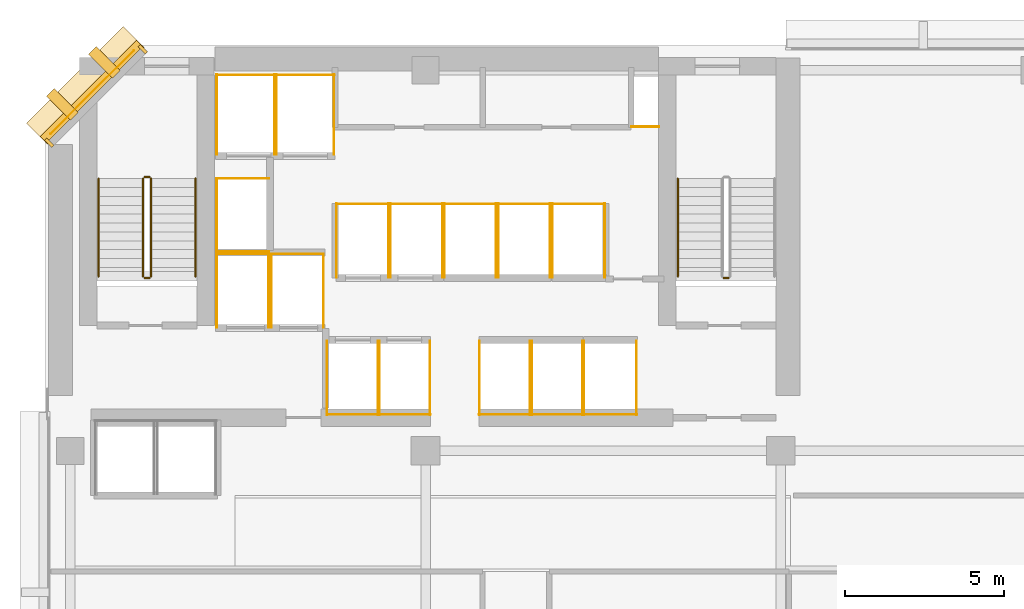
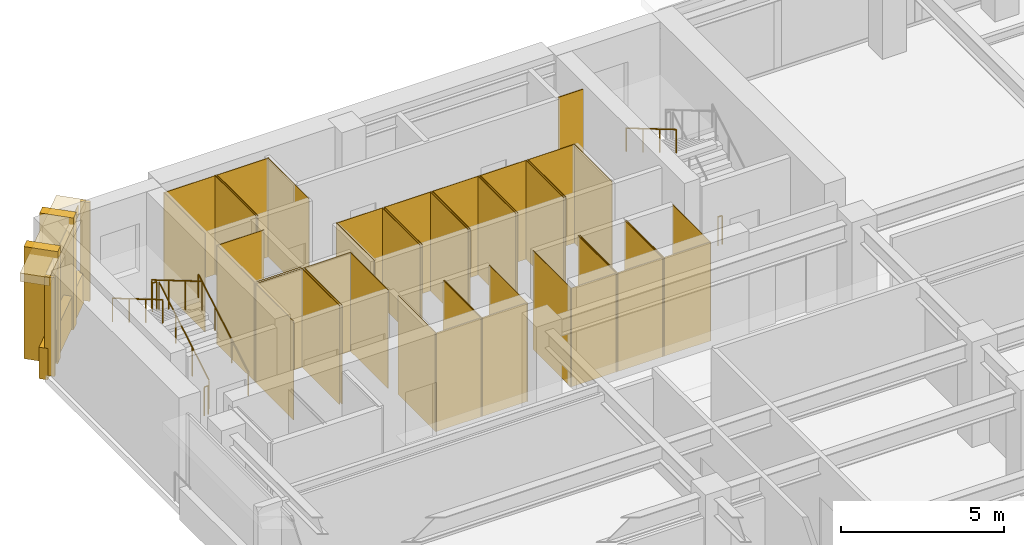
# One storey, part 10 of 12: 53 coverings, 8 railings.
"""IFC4 building model written with IfcOpenShell, lengths in metres."""

from ifc_helpers import new_model, si_unit, direction, frame, origin, origin_2d, place, context, subcontext, project, spatial, polyline, rectangle, circle, outline, extrude, material, layer, layer_set, type_object, element, save


model = new_model("IFC4")

# Units and contexts
model_context = context("Model", 3, precision=1e-05, world=origin(), true_north=direction((0.0, 1.0)))
body_context = subcontext(model_context, "Body", "Model", "MODEL_VIEW")
ifc_project = project(units=[si_unit("LENGTHUNIT", "METRE"), si_unit("AREAUNIT", "SQUARE_METRE"), si_unit("VOLUMEUNIT", "CUBIC_METRE"), si_unit("PLANEANGLEUNIT", "RADIAN"), si_unit("MASSUNIT", "GRAM", prefix="KILO")], contexts=[model_context])

# Site, building, storey
site_placement = place(None, origin())
site = spatial("IfcSite", under=ifc_project, at=site_placement, CompositionType="ELEMENT")
building_placement = place(site_placement, origin())
building = spatial("IfcBuilding", under=site, at=building_placement, Name="Kefirva Bronze Tower", CompositionType="ELEMENT")
storey_placement = place(building_placement, frame((0.0, 0.0, 114.510009765625)))
storey = spatial("IfcBuildingStorey", under=building, at=storey_placement, Name="L27", CompositionType="ELEMENT", Elevation=114.510009765625)

# Coverings
ifc_material_1 = material(Name="Bronze anodised aluminium", Category="aluminium")
ifc_layer_1 = layer(ifc_material_1, 0.02001953125, Name="Bronze anodised aluminium")
ifc_layer_set_1 = layer_set([ifc_layer_1], Name="Bronze anodised aluminium")
covering_type_1 = type_object("IfcCoveringType", Name="Anodised Bronze Spandrel Cladding 20mm", PredefinedType="CLADDING", material=ifc_layer_set_1)
covering_1_placement = place(storey_placement, frame((1.492919921875, 44.507080078125, 3.2900390625), z_axis=(0.0, 0.0, 1.0), x_axis=(-0.707106781187, -0.707106781187, 0.0)))
element("IfcCovering", 1, at=covering_1_placement, inside=storey, type_object=covering_type_1, Name="L27 Bronze Spandrel Cladding 5", PredefinedType="CLADDING", context=body_context, shape_type="SweptSolid", body=[
    extrude(rectangle(XDim=3.719482421875, YDim=0.02001953125, at=origin_2d()), origin(), (0.0, 0.0, 1.0), 0.39990234375),
])
for number, where, z_axis, x_axis, name in (
    (2, (3.08837890625, 45.862060546875, 0.0), (0.0, 0.0, 1.0), (-0.707106781187, -0.707106781187, 0.0), "L27 Facade Joint Closure Panel 5S"),
    (3, (0.137939453125, 42.91162109375, 0.0), (0.0, 0.0, 1.0), (-0.707106781187, -0.707106781187, 0.0), "L27 Facade Joint Closure Panel 5E"),
):
    element("IfcCovering", number, at=place(storey_placement, frame(where, z_axis=z_axis, x_axis=x_axis)), inside=storey, type_object=covering_type_1, Name=name, PredefinedType="CLADDING", context=body_context, shape_type="SweptSolid", body=[
        extrude(rectangle(XDim=0.10009765625, YDim=0.320068359375, at=origin_2d()), origin(), (0.0, 0.0, 1.0), 3.7099609375),
    ])
covering_2_placement = place(storey_placement, frame((1.4716796875, 44.5283203125, -0.16015625), z_axis=(0.0, 0.0, 1.0), x_axis=(-0.707106781187, -0.707106781187, 0.0)))
element("IfcCovering", 4, at=covering_2_placement, inside=storey, type_object=covering_type_1, Name="L27 Streamline Horizontal Spandrel Band 9", PredefinedType="CLADDING", context=body_context, shape_type="SweptSolid", body=[
    extrude(rectangle(XDim=4.28271484375, YDim=0.280029296875, at=origin_2d()), origin(), (0.0, 0.0, 1.0), 1.179931640625),
])
covering_3_placement = place(storey_placement, origin())
element("IfcCovering", 5, at=covering_3_placement, inside=storey, type_object=covering_type_1, Name="L27 Lift FF1 Hoistway Liner N", PredefinedType="CLADDING", context=body_context, shape_type="SweptSolid", body=[
    extrude(outline(polyline([(5.39990234375, 39.389892578125), (7.080078125, 39.389892578125), (7.080078125, 39.409912109375), (5.39990234375, 39.409912109375), (5.39990234375, 39.389892578125)])), origin(), (0.0, 0.0, 1.0), 3.7099609375),
])
covering_4_placement = place(storey_placement, origin())
element("IfcCovering", 6, at=covering_4_placement, inside=storey, type_object=covering_type_1, Name="L27 Lift FF1 Hoistway Liner W", PredefinedType="CLADDING", context=body_context, shape_type="SweptSolid", body=[
    extrude(outline(polyline([(5.409912109375, 37.080078125), (5.429931640625, 37.080078125), (5.429931640625, 39.419921875), (5.409912109375, 39.419921875), (5.409912109375, 37.080078125)])), origin(), (0.0, 0.0, 1.0), 3.7099609375),
])
covering_5_placement = place(storey_placement, origin())
element("IfcCovering", 7, at=covering_5_placement, inside=storey, type_object=covering_type_1, Name="L27 Lift FF1 Hoistway Liner E", PredefinedType="CLADDING", context=body_context, shape_type="SweptSolid", body=[
    extrude(outline(polyline([(7.050048828125, 37.080078125), (7.070068359375, 37.080078125), (7.070068359375, 39.419921875), (7.050048828125, 39.419921875), (7.050048828125, 37.080078125)])), origin(), (0.0, 0.0, 1.0), 3.7099609375),
])
covering_6_placement = place(storey_placement, origin())
element("IfcCovering", 8, at=covering_6_placement, inside=storey, type_object=covering_type_1, Name="L27 Lift FF2 Hoistway Liner N", PredefinedType="CLADDING", context=body_context, shape_type="SweptSolid", body=[
    extrude(outline(polyline([(7.1201171875, 39.389892578125), (8.800048828125, 39.389892578125), (8.800048828125, 39.409912109375), (7.1201171875, 39.409912109375), (7.1201171875, 39.389892578125)])), origin(), (0.0, 0.0, 1.0), 3.7099609375),
])
covering_7_placement = place(storey_placement, origin())
element("IfcCovering", 9, at=covering_7_placement, inside=storey, type_object=covering_type_1, Name="L27 Lift FF2 Hoistway Liner W", PredefinedType="CLADDING", context=body_context, shape_type="SweptSolid", body=[
    extrude(outline(polyline([(7.1298828125, 37.080078125), (7.14990234375, 37.080078125), (7.14990234375, 39.419921875), (7.1298828125, 39.419921875), (7.1298828125, 37.080078125)])), origin(), (0.0, 0.0, 1.0), 3.7099609375),
])
covering_8_placement = place(storey_placement, origin())
element("IfcCovering", 10, at=covering_8_placement, inside=storey, type_object=covering_type_1, Name="L27 Lift FF2 Hoistway Liner E", PredefinedType="CLADDING", context=body_context, shape_type="SweptSolid", body=[
    extrude(outline(polyline([(8.77001953125, 37.080078125), (8.7900390625, 37.080078125), (8.7900390625, 39.419921875), (8.77001953125, 39.419921875), (8.77001953125, 37.080078125)])), origin(), (0.0, 0.0, 1.0), 3.7099609375),
])
covering_9_placement = place(storey_placement, origin())
element("IfcCovering", 11, at=covering_9_placement, inside=storey, type_object=covering_type_1, Name="L27 Lift SV1 Hoistway Liner N", PredefinedType="CLADDING", context=body_context, shape_type="SweptSolid", body=[
    extrude(outline(polyline([(5.39990234375, 45.0400390625), (7.260009765625, 45.0400390625), (7.260009765625, 45.06005859375), (5.39990234375, 45.06005859375), (5.39990234375, 45.0400390625)])), origin(), (0.0, 0.0, 1.0), 3.7099609375),
])
covering_10_placement = place(storey_placement, origin())
element("IfcCovering", 12, at=covering_10_placement, inside=storey, type_object=covering_type_1, Name="L27 Lift SV1 Hoistway Liner W", PredefinedType="CLADDING", context=body_context, shape_type="SweptSolid", body=[
    extrude(outline(polyline([(5.409912109375, 42.530029296875), (5.429931640625, 42.530029296875), (5.429931640625, 45.070068359375), (5.409912109375, 45.070068359375), (5.409912109375, 42.530029296875)])), origin(), (0.0, 0.0, 1.0), 3.7099609375),
])
covering_11_placement = place(storey_placement, origin())
element("IfcCovering", 13, at=covering_11_placement, inside=storey, type_object=covering_type_1, Name="L27 Lift SV1 Hoistway Liner E", PredefinedType="CLADDING", context=body_context, shape_type="SweptSolid", body=[
    extrude(outline(polyline([(7.22998046875, 42.530029296875), (7.25, 42.530029296875), (7.25, 45.070068359375), (7.22998046875, 45.070068359375), (7.22998046875, 42.530029296875)])), origin(), (0.0, 0.0, 1.0), 3.7099609375),
])
covering_12_placement = place(storey_placement, origin())
element("IfcCovering", 14, at=covering_12_placement, inside=storey, type_object=covering_type_1, Name="L27 Lift SV2 Hoistway Liner N", PredefinedType="CLADDING", context=body_context, shape_type="SweptSolid", body=[
    extrude(outline(polyline([(7.280029296875, 45.0400390625), (9.139892578125, 45.0400390625), (9.139892578125, 45.06005859375), (7.280029296875, 45.06005859375), (7.280029296875, 45.0400390625)])), origin(), (0.0, 0.0, 1.0), 3.7099609375),
])
covering_13_placement = place(storey_placement, origin())
element("IfcCovering", 15, at=covering_13_placement, inside=storey, type_object=covering_type_1, Name="L27 Lift SV2 Hoistway Liner W", PredefinedType="CLADDING", context=body_context, shape_type="SweptSolid", body=[
    extrude(outline(polyline([(7.2900390625, 42.530029296875), (7.31005859375, 42.530029296875), (7.31005859375, 45.070068359375), (7.2900390625, 45.070068359375), (7.2900390625, 42.530029296875)])), origin(), (0.0, 0.0, 1.0), 3.7099609375),
])
covering_14_placement = place(storey_placement, origin())
element("IfcCovering", 16, at=covering_14_placement, inside=storey, type_object=covering_type_1, Name="L27 Lift SV2 Hoistway Liner E", PredefinedType="CLADDING", context=body_context, shape_type="SweptSolid", body=[
    extrude(outline(polyline([(9.110107421875, 42.530029296875), (9.1298828125, 42.530029296875), (9.1298828125, 45.070068359375), (9.110107421875, 45.070068359375), (9.110107421875, 42.530029296875)])), origin(), (0.0, 0.0, 1.0), 3.7099609375),
])
covering_15_placement = place(storey_placement, origin())
element("IfcCovering", 17, at=covering_15_placement, inside=storey, type_object=covering_type_1, Name="L27 Lift LP1 Hoistway Liner S", PredefinedType="CLADDING", context=body_context, shape_type="SweptSolid", body=[
    extrude(outline(polyline([(8.8798828125, 34.340087890625), (10.52001953125, 34.340087890625), (10.52001953125, 34.360107421875), (8.8798828125, 34.360107421875), (8.8798828125, 34.340087890625)])), origin(), (0.0, 0.0, 1.0), 3.7099609375),
])
covering_16_placement = place(storey_placement, origin())
element("IfcCovering", 18, at=covering_16_placement, inside=storey, type_object=covering_type_1, Name="L27 Lift LP1 Hoistway Liner W", PredefinedType="CLADDING", context=body_context, shape_type="SweptSolid", body=[
    extrude(outline(polyline([(8.889892578125, 34.330078125), (8.909912109375, 34.330078125), (8.909912109375, 36.669921875), (8.889892578125, 36.669921875), (8.889892578125, 34.330078125)])), origin(), (0.0, 0.0, 1.0), 3.7099609375),
])
covering_17_placement = place(storey_placement, origin())
element("IfcCovering", 19, at=covering_17_placement, inside=storey, type_object=covering_type_1, Name="L27 Lift LP1 Hoistway Liner E", PredefinedType="CLADDING", context=body_context, shape_type="SweptSolid", body=[
    extrude(outline(polyline([(10.489990234375, 34.330078125), (10.510009765625, 34.330078125), (10.510009765625, 36.669921875), (10.489990234375, 36.669921875), (10.489990234375, 34.330078125)])), origin(), (0.0, 0.0, 1.0), 3.7099609375),
])
covering_18_placement = place(storey_placement, origin())
element("IfcCovering", 20, at=covering_18_placement, inside=storey, type_object=covering_type_1, Name="L27 Lift LP2 Hoistway Liner S", PredefinedType="CLADDING", context=body_context, shape_type="SweptSolid", body=[
    extrude(outline(polyline([(10.52001953125, 34.340087890625), (12.159912109375, 34.340087890625), (12.159912109375, 34.360107421875), (10.52001953125, 34.360107421875), (10.52001953125, 34.340087890625)])), origin(), (0.0, 0.0, 1.0), 3.7099609375),
])
covering_19_placement = place(storey_placement, origin())
element("IfcCovering", 21, at=covering_19_placement, inside=storey, type_object=covering_type_1, Name="L27 Lift LP2 Hoistway Liner W", PredefinedType="CLADDING", context=body_context, shape_type="SweptSolid", body=[
    extrude(outline(polyline([(10.530029296875, 34.330078125), (10.550048828125, 34.330078125), (10.550048828125, 36.669921875), (10.530029296875, 36.669921875), (10.530029296875, 34.330078125)])), origin(), (0.0, 0.0, 1.0), 3.7099609375),
])
covering_20_placement = place(storey_placement, origin())
element("IfcCovering", 22, at=covering_20_placement, inside=storey, type_object=covering_type_1, Name="L27 Lift LP2 Hoistway Liner E", PredefinedType="CLADDING", context=body_context, shape_type="SweptSolid", body=[
    extrude(outline(polyline([(12.1298828125, 34.330078125), (12.14990234375, 34.330078125), (12.14990234375, 36.669921875), (12.1298828125, 36.669921875), (12.1298828125, 34.330078125)])), origin(), (0.0, 0.0, 1.0), 3.7099609375),
])
covering_21_placement = place(storey_placement, origin())
element("IfcCovering", 23, at=covering_21_placement, inside=storey, type_object=covering_type_1, Name="L27 Lift LP3 Hoistway Liner N", PredefinedType="CLADDING", context=body_context, shape_type="SweptSolid", body=[
    extrude(outline(polyline([(9.179931640625, 40.969970703125), (10.85009765625, 40.969970703125), (10.85009765625, 40.989990234375), (9.179931640625, 40.989990234375), (9.179931640625, 40.969970703125)])), origin(), (0.0, 0.0, 1.0), 3.7099609375),
])
covering_22_placement = place(storey_placement, origin())
element("IfcCovering", 24, at=covering_22_placement, inside=storey, type_object=covering_type_1, Name="L27 Lift LP3 Hoistway Liner W", PredefinedType="CLADDING", context=body_context, shape_type="SweptSolid", body=[
    extrude(outline(polyline([(9.18994140625, 38.659912109375), (9.2099609375, 38.659912109375), (9.2099609375, 41.0), (9.18994140625, 41.0), (9.18994140625, 38.659912109375)])), origin(), (0.0, 0.0, 1.0), 3.7099609375),
])
covering_23_placement = place(storey_placement, origin())
element("IfcCovering", 25, at=covering_23_placement, inside=storey, type_object=covering_type_1, Name="L27 Lift LP3 Hoistway Liner E", PredefinedType="CLADDING", context=body_context, shape_type="SweptSolid", body=[
    extrude(outline(polyline([(10.820068359375, 38.659912109375), (10.840087890625, 38.659912109375), (10.840087890625, 41.0), (10.820068359375, 41.0), (10.820068359375, 38.659912109375)])), origin(), (0.0, 0.0, 1.0), 3.7099609375),
])
covering_24_placement = place(storey_placement, origin())
element("IfcCovering", 26, at=covering_24_placement, inside=storey, type_object=covering_type_1, Name="L27 Lift LP4 Hoistway Liner N", PredefinedType="CLADDING", context=body_context, shape_type="SweptSolid", body=[
    extrude(outline(polyline([(10.8798828125, 40.969970703125), (12.550048828125, 40.969970703125), (12.550048828125, 40.989990234375), (10.8798828125, 40.989990234375), (10.8798828125, 40.969970703125)])), origin(), (0.0, 0.0, 1.0), 3.7099609375),
])
covering_25_placement = place(storey_placement, origin())
element("IfcCovering", 27, at=covering_25_placement, inside=storey, type_object=covering_type_1, Name="L27 Lift LP4 Hoistway Liner W", PredefinedType="CLADDING", context=body_context, shape_type="SweptSolid", body=[
    extrude(outline(polyline([(10.889892578125, 38.659912109375), (10.909912109375, 38.659912109375), (10.909912109375, 41.0), (10.889892578125, 41.0), (10.889892578125, 38.659912109375)])), origin(), (0.0, 0.0, 1.0), 3.7099609375),
])
covering_26_placement = place(storey_placement, origin())
element("IfcCovering", 28, at=covering_26_placement, inside=storey, type_object=covering_type_1, Name="L27 Lift LP4 Hoistway Liner E", PredefinedType="CLADDING", context=body_context, shape_type="SweptSolid", body=[
    extrude(outline(polyline([(12.52001953125, 38.659912109375), (12.5400390625, 38.659912109375), (12.5400390625, 41.0), (12.52001953125, 41.0), (12.52001953125, 38.659912109375)])), origin(), (0.0, 0.0, 1.0), 3.7099609375),
])
covering_27_placement = place(storey_placement, origin())
element("IfcCovering", 29, at=covering_27_placement, inside=storey, type_object=covering_type_1, Name="L27 Lift MP1 Hoistway Liner S", PredefinedType="CLADDING", context=body_context, shape_type="SweptSolid", body=[
    extrude(outline(polyline([(13.679931640625, 34.340087890625), (15.320068359375, 34.340087890625), (15.320068359375, 34.360107421875), (13.679931640625, 34.360107421875), (13.679931640625, 34.340087890625)])), origin(), (0.0, 0.0, 1.0), 3.7099609375),
])
covering_28_placement = place(storey_placement, origin())
element("IfcCovering", 30, at=covering_28_placement, inside=storey, type_object=covering_type_1, Name="L27 Lift MP1 Hoistway Liner W", PredefinedType="CLADDING", context=body_context, shape_type="SweptSolid", body=[
    extrude(outline(polyline([(13.68994140625, 34.330078125), (13.7099609375, 34.330078125), (13.7099609375, 36.669921875), (13.68994140625, 36.669921875), (13.68994140625, 34.330078125)])), origin(), (0.0, 0.0, 1.0), 3.7099609375),
])
covering_29_placement = place(storey_placement, origin())
element("IfcCovering", 31, at=covering_29_placement, inside=storey, type_object=covering_type_1, Name="L27 Lift MP1 Hoistway Liner E", PredefinedType="CLADDING", context=body_context, shape_type="SweptSolid", body=[
    extrude(outline(polyline([(15.2900390625, 34.330078125), (15.31005859375, 34.330078125), (15.31005859375, 36.669921875), (15.2900390625, 36.669921875), (15.2900390625, 34.330078125)])), origin(), (0.0, 0.0, 1.0), 3.7099609375),
])
covering_30_placement = place(storey_placement, origin())
element("IfcCovering", 32, at=covering_30_placement, inside=storey, type_object=covering_type_1, Name="L27 Lift MP2 Hoistway Liner S", PredefinedType="CLADDING", context=body_context, shape_type="SweptSolid", body=[
    extrude(outline(polyline([(15.330078125, 34.340087890625), (16.969970703125, 34.340087890625), (16.969970703125, 34.360107421875), (15.330078125, 34.360107421875), (15.330078125, 34.340087890625)])), origin(), (0.0, 0.0, 1.0), 3.7099609375),
])
covering_31_placement = place(storey_placement, origin())
element("IfcCovering", 33, at=covering_31_placement, inside=storey, type_object=covering_type_1, Name="L27 Lift MP2 Hoistway Liner W", PredefinedType="CLADDING", context=body_context, shape_type="SweptSolid", body=[
    extrude(outline(polyline([(15.340087890625, 34.330078125), (15.360107421875, 34.330078125), (15.360107421875, 36.669921875), (15.340087890625, 36.669921875), (15.340087890625, 34.330078125)])), origin(), (0.0, 0.0, 1.0), 3.7099609375),
])
covering_32_placement = place(storey_placement, origin())
element("IfcCovering", 34, at=covering_32_placement, inside=storey, type_object=covering_type_1, Name="L27 Lift MP2 Hoistway Liner E", PredefinedType="CLADDING", context=body_context, shape_type="SweptSolid", body=[
    extrude(outline(polyline([(16.93994140625, 34.330078125), (16.9599609375, 34.330078125), (16.9599609375, 36.669921875), (16.93994140625, 36.669921875), (16.93994140625, 34.330078125)])), origin(), (0.0, 0.0, 1.0), 3.7099609375),
])
covering_33_placement = place(storey_placement, origin())
element("IfcCovering", 35, at=covering_33_placement, inside=storey, type_object=covering_type_1, Name="L27 Lift MP3 Hoistway Liner N", PredefinedType="CLADDING", context=body_context, shape_type="SweptSolid", body=[
    extrude(outline(polyline([(12.580078125, 40.969970703125), (14.25, 40.969970703125), (14.25, 40.989990234375), (12.580078125, 40.989990234375), (12.580078125, 40.969970703125)])), origin(), (0.0, 0.0, 1.0), 3.7099609375),
])
covering_34_placement = place(storey_placement, origin())
element("IfcCovering", 36, at=covering_34_placement, inside=storey, type_object=covering_type_1, Name="L27 Lift MP3 Hoistway Liner W", PredefinedType="CLADDING", context=body_context, shape_type="SweptSolid", body=[
    extrude(outline(polyline([(12.590087890625, 38.659912109375), (12.610107421875, 38.659912109375), (12.610107421875, 41.0), (12.590087890625, 41.0), (12.590087890625, 38.659912109375)])), origin(), (0.0, 0.0, 1.0), 3.7099609375),
])
covering_35_placement = place(storey_placement, origin())
element("IfcCovering", 37, at=covering_35_placement, inside=storey, type_object=covering_type_1, Name="L27 Lift MP3 Hoistway Liner E", PredefinedType="CLADDING", context=body_context, shape_type="SweptSolid", body=[
    extrude(outline(polyline([(14.219970703125, 38.659912109375), (14.239990234375, 38.659912109375), (14.239990234375, 41.0), (14.219970703125, 41.0), (14.219970703125, 38.659912109375)])), origin(), (0.0, 0.0, 1.0), 3.7099609375),
])
covering_36_placement = place(storey_placement, origin())
element("IfcCovering", 38, at=covering_36_placement, inside=storey, type_object=covering_type_1, Name="L27 Lift MP4 Hoistway Liner N", PredefinedType="CLADDING", context=body_context, shape_type="SweptSolid", body=[
    extrude(outline(polyline([(14.280029296875, 40.969970703125), (15.949951171875, 40.969970703125), (15.949951171875, 40.989990234375), (14.280029296875, 40.989990234375), (14.280029296875, 40.969970703125)])), origin(), (0.0, 0.0, 1.0), 3.7099609375),
])
covering_37_placement = place(storey_placement, origin())
element("IfcCovering", 39, at=covering_37_placement, inside=storey, type_object=covering_type_1, Name="L27 Lift MP4 Hoistway Liner W", PredefinedType="CLADDING", context=body_context, shape_type="SweptSolid", body=[
    extrude(outline(polyline([(14.2900390625, 38.659912109375), (14.31005859375, 38.659912109375), (14.31005859375, 41.0), (14.2900390625, 41.0), (14.2900390625, 38.659912109375)])), origin(), (0.0, 0.0, 1.0), 3.7099609375),
])
covering_38_placement = place(storey_placement, origin())
element("IfcCovering", 40, at=covering_38_placement, inside=storey, type_object=covering_type_1, Name="L27 Lift MP4 Hoistway Liner E", PredefinedType="CLADDING", context=body_context, shape_type="SweptSolid", body=[
    extrude(outline(polyline([(15.919921875, 38.659912109375), (15.93994140625, 38.659912109375), (15.93994140625, 41.0), (15.919921875, 41.0), (15.919921875, 38.659912109375)])), origin(), (0.0, 0.0, 1.0), 3.7099609375),
])
covering_39_placement = place(storey_placement, origin())
element("IfcCovering", 41, at=covering_39_placement, inside=storey, type_object=covering_type_1, Name="L27 Lift HP1 Hoistway Liner S", PredefinedType="CLADDING", context=body_context, shape_type="SweptSolid", body=[
    extrude(outline(polyline([(16.97998046875, 34.340087890625), (18.669921875, 34.340087890625), (18.669921875, 34.360107421875), (16.97998046875, 34.360107421875), (16.97998046875, 34.340087890625)])), origin(), (0.0, 0.0, 1.0), 3.7099609375),
])
covering_40_placement = place(storey_placement, origin())
element("IfcCovering", 42, at=covering_40_placement, inside=storey, type_object=covering_type_1, Name="L27 Lift HP1 Hoistway Liner W", PredefinedType="CLADDING", context=body_context, shape_type="SweptSolid", body=[
    extrude(outline(polyline([(16.989990234375, 34.330078125), (17.010009765625, 34.330078125), (17.010009765625, 36.669921875), (16.989990234375, 36.669921875), (16.989990234375, 34.330078125)])), origin(), (0.0, 0.0, 1.0), 3.7099609375),
])
covering_41_placement = place(storey_placement, origin())
element("IfcCovering", 43, at=covering_41_placement, inside=storey, type_object=covering_type_1, Name="L27 Lift HP1 Hoistway Liner E", PredefinedType="CLADDING", context=body_context, shape_type="SweptSolid", body=[
    extrude(outline(polyline([(18.639892578125, 34.330078125), (18.659912109375, 34.330078125), (18.659912109375, 36.669921875), (18.639892578125, 36.669921875), (18.639892578125, 34.330078125)])), origin(), (0.0, 0.0, 1.0), 3.7099609375),
])
covering_42_placement = place(storey_placement, origin())
element("IfcCovering", 44, at=covering_42_placement, inside=storey, type_object=covering_type_1, Name="L27 Lift HP2 Hoistway Liner N", PredefinedType="CLADDING", context=body_context, shape_type="SweptSolid", body=[
    extrude(outline(polyline([(15.97998046875, 40.969970703125), (17.669921875, 40.969970703125), (17.669921875, 40.989990234375), (15.97998046875, 40.989990234375), (15.97998046875, 40.969970703125)])), origin(), (0.0, 0.0, 1.0), 3.7099609375),
])
covering_43_placement = place(storey_placement, origin())
element("IfcCovering", 45, at=covering_43_placement, inside=storey, type_object=covering_type_1, Name="L27 Lift HP2 Hoistway Liner W", PredefinedType="CLADDING", context=body_context, shape_type="SweptSolid", body=[
    extrude(outline(polyline([(15.989990234375, 38.659912109375), (16.010009765625, 38.659912109375), (16.010009765625, 41.0), (15.989990234375, 41.0), (15.989990234375, 38.659912109375)])), origin(), (0.0, 0.0, 1.0), 3.7099609375),
])
covering_44_placement = place(storey_placement, origin())
element("IfcCovering", 46, at=covering_44_placement, inside=storey, type_object=covering_type_1, Name="L27 Lift HP2 Hoistway Liner E", PredefinedType="CLADDING", context=body_context, shape_type="SweptSolid", body=[
    extrude(outline(polyline([(17.639892578125, 38.659912109375), (17.659912109375, 38.659912109375), (17.659912109375, 41.0), (17.639892578125, 41.0), (17.639892578125, 38.659912109375)])), origin(), (0.0, 0.0, 1.0), 3.7099609375),
])
covering_45_placement = place(storey_placement, origin())
element("IfcCovering", 47, at=covering_45_placement, inside=storey, type_object=covering_type_1, Name="L27 Lift HP3 Hoistway Liner N", PredefinedType="CLADDING", context=body_context, shape_type="SweptSolid", body=[
    extrude(outline(polyline([(5.39990234375, 41.77001953125), (7.080078125, 41.77001953125), (7.080078125, 41.7900390625), (5.39990234375, 41.7900390625), (5.39990234375, 41.77001953125)])), origin(), (0.0, 0.0, 1.0), 3.7099609375),
])
covering_46_placement = place(storey_placement, origin())
element("IfcCovering", 48, at=covering_46_placement, inside=storey, type_object=covering_type_1, Name="L27 Lift HP3 Hoistway Liner S", PredefinedType="CLADDING", context=body_context, shape_type="SweptSolid", body=[
    extrude(outline(polyline([(5.39990234375, 39.469970703125), (7.080078125, 39.469970703125), (7.080078125, 39.489990234375), (5.39990234375, 39.489990234375), (5.39990234375, 39.469970703125)])), origin(), (0.0, 0.0, 1.0), 3.7099609375),
])
covering_47_placement = place(storey_placement, origin())
element("IfcCovering", 49, at=covering_47_placement, inside=storey, type_object=covering_type_1, Name="L27 Lift HP3 Hoistway Liner W", PredefinedType="CLADDING", context=body_context, shape_type="SweptSolid", body=[
    extrude(outline(polyline([(5.409912109375, 39.4599609375), (5.429931640625, 39.4599609375), (5.429931640625, 41.800048828125), (5.409912109375, 41.800048828125), (5.409912109375, 39.4599609375)])), origin(), (0.0, 0.0, 1.0), 3.7099609375),
])
covering_48_placement = place(storey_placement, origin())
element("IfcCovering", 50, at=covering_48_placement, inside=storey, type_object=covering_type_1, Name="L27 Core MEP Riser Shaft Liner South", PredefinedType="CLADDING", context=body_context, shape_type="SweptSolid", body=[
    extrude(outline(polyline([(18.47998046875, 43.39990234375), (19.360107421875, 43.39990234375), (19.360107421875, 43.429931640625), (18.47998046875, 43.429931640625), (18.47998046875, 43.39990234375)])), origin(), (0.0, 0.0, 1.0), 3.7099609375),
])

# Railings
ifc_material_2 = material(Name="Stainless steel 316", Category="steel")
railing_type_1 = type_object("IfcRailingType", Name="Interior Stair Guardrail 1100mm", PredefinedType="GUARDRAIL", material=ifc_material_2)
railing_1_placement = place(storey_placement, frame((3.35009765625, 38.699951171875, 0.1650390625)))
element("IfcRailing", 51, at=railing_1_placement, inside=storey, type_object=railing_type_1, Name="L27 ST-1 stair guard 1", PredefinedType="GUARDRAIL", context=body_context, shape_type="SweptSolid", body=[
    extrude(circle(Radius=0.02392578125, at=origin_2d()), frame((0.0, 0.0, 1.076171875), z_axis=(0.0, 0.861551262678, 0.507670583921), x_axis=(-1.0, 0.0, 0.0)), (0.0, 0.0, 1.0), 3.574951171875),
    extrude(circle(Radius=0.02099609375, at=origin_2d()), origin(), (0.0, 0.0, 1.0), 1.052001953125),
    extrude(circle(Radius=0.02099609375, at=origin_2d()), frame((0.0, 1.026611328125, 0.60498046875)), (0.0, 0.0, 1.0), 1.052001953125),
    extrude(circle(Radius=0.02099609375, at=origin_2d()), frame((0.0, 2.053466796875, 1.2099609375)), (0.0, 0.0, 1.0), 1.052001953125),
    extrude(circle(Radius=0.02099609375, at=origin_2d()), frame((0.0, 3.080078125, 1.81494140625)), (0.0, 0.0, 1.0), 1.052001953125),
])
railing_2_placement = place(storey_placement, frame((3.300048828125, 41.830078125, 1.97998046875)))
element("IfcRailing", 52, at=railing_2_placement, inside=storey, type_object=railing_type_1, Name="L27 ST-1 stair guard 2", PredefinedType="GUARDRAIL", context=body_context, shape_type="SweptSolid", body=[
    extrude(circle(Radius=0.02392578125, at=origin_2d()), frame((0.0, 0.0, 1.076171875), z_axis=(-1.0, 0.0, 0.0), x_axis=(0.0, -1.0, 0.0)), (0.0, 0.0, 1.0), 0.150146484375),
    extrude(circle(Radius=0.02099609375, at=origin_2d()), origin(), (0.0, 0.0, 1.0), 1.052001953125),
    extrude(circle(Radius=0.02099609375, at=origin_2d()), frame((-0.150146484375, 0.0, 0.0)), (0.0, 0.0, 1.0), 1.052001953125),
])
railing_3_placement = place(storey_placement, frame((3.10009765625, 41.780029296875, 2.14501953125)))
element("IfcRailing", 53, at=railing_3_placement, inside=storey, type_object=railing_type_1, Name="L27 ST-1 stair guard 3", PredefinedType="GUARDRAIL", context=body_context, shape_type="SweptSolid", body=[
    extrude(circle(Radius=0.02392578125, at=origin_2d()), frame((0.0, 0.0, 1.076171875), z_axis=(0.0, -0.861551262678, 0.507670583921), x_axis=(1.0, 0.0, 0.0)), (0.0, 0.0, 1.0), 3.574951171875),
    extrude(circle(Radius=0.02099609375, at=origin_2d()), origin(), (0.0, 0.0, 1.0), 1.052001953125),
    extrude(circle(Radius=0.02099609375, at=origin_2d()), frame((0.0, -1.026611328125, 0.60498046875)), (0.0, 0.0, 1.0), 1.052001953125),
    extrude(circle(Radius=0.02099609375, at=origin_2d()), frame((0.0, -2.053466796875, 1.2099609375)), (0.0, 0.0, 1.0), 1.052001953125),
    extrude(circle(Radius=0.02099609375, at=origin_2d()), frame((0.0, -3.080078125, 1.81494140625)), (0.0, 0.0, 1.0), 1.052001953125),
])
for number, where, name in (
    (54, (3.300048828125, 38.64990234375, 0.0), "L27 ST-1 stair guard 4"),
    (55, (21.550048828125, 38.64990234375, 0.0), "L27 ST-2 stair guard 4"),
):
    element("IfcRailing", number, at=place(storey_placement, frame(where)), inside=storey, type_object=railing_type_1, Name=name, PredefinedType="GUARDRAIL", context=body_context, shape_type="SweptSolid", body=[
        extrude(circle(Radius=0.02392578125, at=origin_2d()), frame((0.0, 0.0, 1.076171875), z_axis=(-1.0, 0.0, 0.0), x_axis=(0.0, -1.0, 0.0)), (0.0, 0.0, 1.0), 0.150146484375),
        extrude(circle(Radius=0.02099609375, at=origin_2d()), origin(), (0.0, 0.0, 1.0), 1.052001953125),
        extrude(circle(Radius=0.02099609375, at=origin_2d()), frame((-0.150146484375, 0.0, 0.0)), (0.0, 0.0, 1.0), 1.052001953125),
    ])
railing_type_2 = type_object("IfcRailingType", Name="Stair Pitch Handrail 900mm", PredefinedType="HANDRAIL", material=ifc_material_2)
railing_4_placement = place(storey_placement, frame((4.75, 38.699951171875, 0.1650390625)))
element("IfcRailing", 56, at=railing_4_placement, inside=storey, type_object=railing_type_2, Name="L27 ST-1 stair handrail 1", PredefinedType="HANDRAIL", context=body_context, shape_type="SweptSolid", body=[
    extrude(circle(Radius=0.02392578125, at=origin_2d()), frame((0.0, 0.0, 0.8759765625), z_axis=(0.0, 0.861551262678, 0.507670583921), x_axis=(-1.0, 0.0, 0.0)), (0.0, 0.0, 1.0), 3.574951171875),
    extrude(circle(Radius=0.02099609375, at=origin_2d()), origin(), (0.0, 0.0, 1.0), 0.851806640625),
    extrude(circle(Radius=0.02099609375, at=origin_2d()), frame((0.0, 1.026611328125, 0.60498046875)), (0.0, 0.0, 1.0), 0.851806640625),
    extrude(circle(Radius=0.02099609375, at=origin_2d()), frame((0.0, 2.053466796875, 1.2099609375)), (0.0, 0.0, 1.0), 0.851806640625),
    extrude(circle(Radius=0.02099609375, at=origin_2d()), frame((0.0, 3.080078125, 1.81494140625)), (0.0, 0.0, 1.0), 0.851806640625),
])
for number, where, name in (
    (57, (1.699951171875, 41.780029296875, 2.14501953125), "L27 ST-1 stair handrail 2"),
    (58, (19.949951171875, 41.780029296875, 2.14501953125), "L27 ST-2 stair handrail 2"),
):
    element("IfcRailing", number, at=place(storey_placement, frame(where)), inside=storey, type_object=railing_type_2, Name=name, PredefinedType="HANDRAIL", context=body_context, shape_type="SweptSolid", body=[
        extrude(circle(Radius=0.02392578125, at=origin_2d()), frame((0.0, 0.0, 0.8759765625), z_axis=(0.0, -0.861551262678, 0.507670583921), x_axis=(1.0, 0.0, 0.0)), (0.0, 0.0, 1.0), 3.574951171875),
        extrude(circle(Radius=0.02099609375, at=origin_2d()), origin(), (0.0, 0.0, 1.0), 0.851806640625),
        extrude(circle(Radius=0.02099609375, at=origin_2d()), frame((0.0, -1.026611328125, 0.60498046875)), (0.0, 0.0, 1.0), 0.851806640625),
        extrude(circle(Radius=0.02099609375, at=origin_2d()), frame((0.0, -2.053466796875, 1.2099609375)), (0.0, 0.0, 1.0), 0.851806640625),
        extrude(circle(Radius=0.02099609375, at=origin_2d()), frame((0.0, -3.080078125, 1.81494140625)), (0.0, 0.0, 1.0), 0.851806640625),
    ])

# Coverings
ifc_layer_2 = layer(ifc_material_1, 0.179931640625, Name="Bronze anodised aluminium")
ifc_layer_set_2 = layer_set([ifc_layer_2], Name="Bronze anodised aluminium")
covering_type_2 = type_object("IfcCoveringType", Name="Streamline Bronze Sunshade Eyebrow Cladding 180mm", PredefinedType="CLADDING", material=ifc_layer_set_2)
covering_49_placement = place(storey_placement, frame((1.28076171875, 44.71923828125, 3.39013671875), z_axis=(0.0, 0.0, 1.0), x_axis=(-0.707106781187, -0.707106781187, 0.0)))
element("IfcCovering", 59, at=covering_49_placement, inside=storey, type_object=covering_type_2, Name="L27 Streamline Bronze Sunshade Eyebrow 9", PredefinedType="CLADDING", context=body_context, shape_type="SweptSolid", body=[
    extrude(rectangle(XDim=4.322509765625, YDim=0.93994140625, at=origin_2d()), origin(), (0.0, 0.0, 1.0), 0.320068359375),
])
ifc_layer_3 = layer(ifc_material_1, 0.260009765625, Name="Bronze anodised aluminium")
ifc_layer_set_3 = layer_set([ifc_layer_3], Name="Bronze anodised aluminium")
covering_type_3 = type_object("IfcCoveringType", Name="Unbroken Bronze Buttress Fin Cladding 260mm", PredefinedType="CLADDING", material=ifc_layer_set_3)
for number, where, z_axis, x_axis, name in (
    (60, (1.877197265625, 45.44287109375, -0.25), (0.0, 0.0, 1.0), (-0.707106781187, -0.707106781187, 0.0), "L27 Chamfered Corner Buttress Fin Cladding 21"),
    (61, (0.55712890625, 44.122802734375, -0.25), (0.0, 0.0, 1.0), (-0.707106781187, -0.707106781187, 0.0), "L27 Chamfered Corner Buttress Fin Cladding 22"),
):
    element("IfcCovering", number, at=place(storey_placement, frame(where, z_axis=z_axis, x_axis=x_axis)), inside=storey, type_object=covering_type_3, Name=name, PredefinedType="CLADDING", context=body_context, shape_type="SweptSolid", body=[
        extrude(rectangle(XDim=0.340087890625, YDim=1.080078125, at=origin_2d()), origin(), (0.0, 0.0, 1.0), 4.2099609375),
    ])

save(model, "model.ifc")
